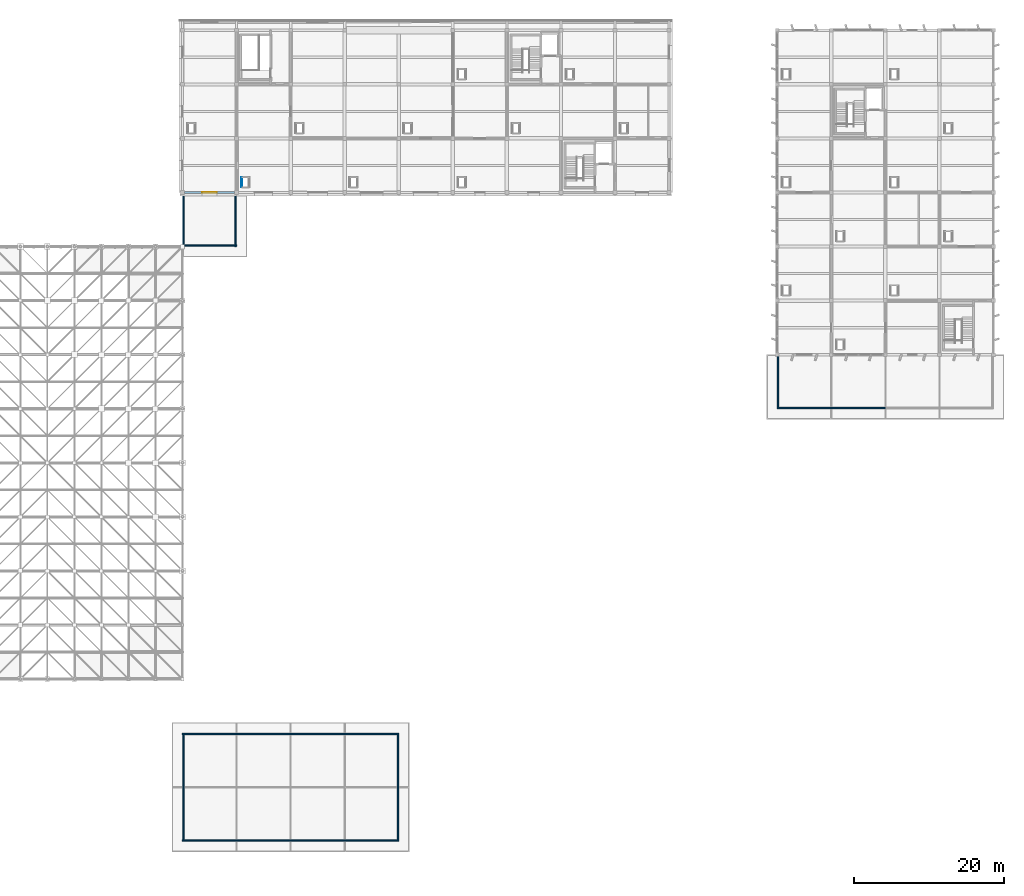
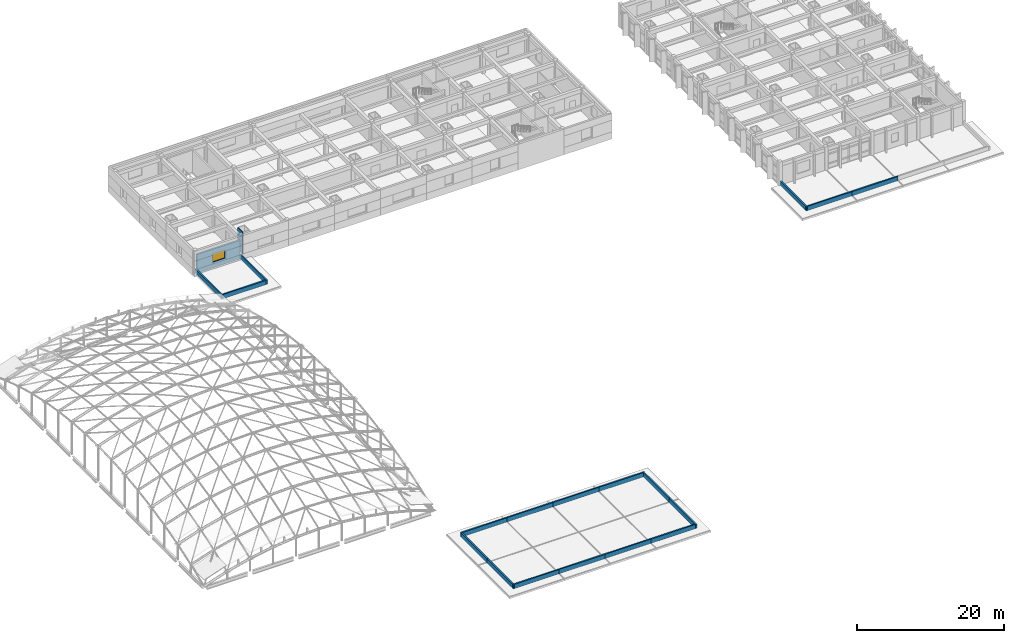
# One storey, part 31 of 40: 20 walls, 1 window, 1 opening.
"""IFC4 building model written with IfcOpenShell, lengths in metres."""

from ifc_helpers import new_model, si_unit, direction, frame, frame_2d, origin, place, context, subcontext, project, spatial, rectangle, extrude, material, layer, layer_set, type_object, element, fill, save


model = new_model("IFC4")

# Units and contexts
model_context = context("Model", 3, precision=1e-05, world=origin(), true_north=direction((0.0, 1.0)))
body_context = subcontext(model_context, "Body", "Model", "MODEL_VIEW")
ifc_project = project(units=[si_unit("LENGTHUNIT", "METRE"), si_unit("AREAUNIT", "SQUARE_METRE"), si_unit("VOLUMEUNIT", "CUBIC_METRE"), si_unit("PLANEANGLEUNIT", "RADIAN"), si_unit("MASSUNIT", "GRAM", prefix="KILO")], contexts=[model_context])

# Site, building, storey
site_placement = place(None, origin())
site = spatial("IfcSite", under=ifc_project, at=site_placement, CompositionType="ELEMENT")
building_placement = place(site_placement, origin())
building = spatial("IfcBuilding", under=site, at=building_placement, Name="Kavelor Marine Aquarium", CompositionType="ELEMENT")
storey_placement = place(building_placement, frame((0.0, 0.0, 17.639892578125)))
storey = spatial("IfcBuildingStorey", under=building, at=storey_placement, Name="L04", CompositionType="ELEMENT", Elevation=17.639892578125)

# Wall, opening, window
ifc_material_1 = material(Name="Concrete C40/50", Category="concrete")
ifc_layer_1 = layer(ifc_material_1, 0.280029296875)
ifc_layer_set_1 = layer_set([ifc_layer_1], Name="WL-EX4")
wall_type_1 = type_object("IfcWallType", Name="WL-EX4", PredefinedType="STANDARD", material=ifc_layer_set_1)
wall_1_placement = place(storey_placement, frame((46.155029296875, 89.199951171875, 0.0), z_axis=(0.0, 0.0, 1.0), x_axis=(-1.0, 0.0, 0.0)))
wall_1 = element("IfcWall", 1, at=wall_1_placement, inside=storey, type_object=wall_type_1, Name="ew:x:L04:05_12", PredefinedType="STANDARD", context=body_context, shape_type="SweptSolid", body=[
    extrude(rectangle(XDim=6.7099609375, YDim=0.280029296875, at=frame_2d((3.35498046875, 0.0))), origin(), (0.0, 0.0, 1.0), 3.080078125),
])
opening_placement = place(wall_1_placement, frame((2.3798828125, 0.0, 0.949951171875)))
opening = element("IfcOpeningElement", 2, at=opening_placement, cuts=wall_1, Name="Opening W29", PredefinedType="OPENING", context=body_context, shape_type="SweptSolid", body=[
    extrude(rectangle(XDim=1.949951171875, YDim=1.35009765625, at=frame_2d((0.97509765625, 0.675048828125))), frame((0.0, 0.14990234375, 0.0), z_axis=(0.0, -1.0, 0.0), x_axis=(1.0, 0.0, 0.0)), (0.0, 0.0, 1.0), 0.300029),
])
ifc_material_2 = material(Name="Anodised Aluminium Frame with Low-E Double Glazing", Category="aluminium")
window_type = type_object("IfcWindowType", Name="WIN-W29", PartitioningType="DOUBLE_PANEL_VERTICAL", PredefinedType="WINDOW", material=ifc_material_2)
window_placement = place(opening_placement, origin())
window = element("IfcWindow", 3, at=window_placement, inside=storey, type_object=window_type, Name="win:x:L04:05_12", OverallHeight=1.35009765625, OverallWidth=1.949951171875, PartitioningType="SINGLE_PANEL", PredefinedType="WINDOW", context=body_context, shape_type="SweptSolid", body=[
    extrude(rectangle(XDim=1.949951171875, YDim=1.35009765625, at=frame_2d((0.97509765625, 0.675048828125))), frame((0.0, 0.030029296875, 0.0), z_axis=(0.0, -1.0, 0.0), x_axis=(1.0, 0.0, 0.0)), (0.0, 0.0, 1.0), 0.06005859375),
])
fill(opening, window)

# Walls
ifc_material_3 = material(Name="Concrete C40/50", Category="concrete")
ifc_layer_2 = layer(ifc_material_3, 0.219970703125)
ifc_layer_set_2 = layer_set([ifc_layer_2], Name="WL-PR2")
wall_type_2 = type_object("IfcWallType", Name="WL-PR2", PredefinedType="PARAPET", material=ifc_layer_set_2)
for number, where, z_axis, x_axis, name in (
    (4, (39.199951171875, 2.919921875, 0.0), (0.0, 0.0, 1.0), (1.0, 0.0, 0.0), "par:s:L04:05_00"),
    (5, (39.320068359375, 2.800048828125, 0.0), (0.0, 0.0, 1.0), (0.0, 1.0, 0.0), "par:w:L04:05_00"),
    (6, (39.199951171875, 17.080078125, 0.0), (0.0, 0.0, 1.0), (1.0, 0.0, 0.0), "par:n:L04:05_01"),
    (7, (39.320068359375, 10.0, 0.0), (0.0, 0.0, 1.0), (0.0, 1.0, 0.0), "par:w:L04:05_01"),
    (8, (39.199951171875, 82.1201171875, 0.0), (0.0, 0.0, 1.0), (1.0, 0.0, 0.0), "par:s:L04:05_11"),
    (9, (39.320068359375, 82.0, 0.0), (0.0, 0.0, 1.0), (0.0, 1.0, 0.0), "par:w:L04:05_11"),
    (10, (46.280029296875, 82.0, 0.0), (0.0, 0.0, 1.0), (0.0, 1.0, 0.0), "par:e:L04:05_11"),
):
    element("IfcWall", number, at=place(storey_placement, frame(where, z_axis=z_axis, x_axis=x_axis)), inside=storey, type_object=wall_type_2, Name=name, PredefinedType="PARAPET", context=body_context, shape_type="SweptSolid", body=[
        extrude(rectangle(XDim=7.199951171875, YDim=0.219970703125, at=frame_2d((3.60009765625, 0.0))), origin(), (0.0, 0.0, 1.0), 0.72021484375),
    ])
for number, where, z_axis, x_axis, name in (
    (11, (46.39990234375, 2.919921875, 0.0), (0.0, 0.0, 1.0), (1.0, 0.0, 0.0), "par:s:L04:06_00"),
    (12, (46.39990234375, 17.080078125, 0.0), (0.0, 0.0, 1.0), (1.0, 0.0, 0.0), "par:n:L04:06_01"),
):
    element("IfcWall", number, at=place(storey_placement, frame(where, z_axis=z_axis, x_axis=x_axis)), inside=storey, type_object=wall_type_2, Name=name, PredefinedType="PARAPET", context=body_context, shape_type="SweptSolid", body=[
        extrude(rectangle(XDim=7.2001953125, YDim=0.219970703125, at=frame_2d((3.60009765625, 0.0))), origin(), (0.0, 0.0, 1.0), 0.72021484375),
    ])
for number, where, z_axis, x_axis, name in (
    (13, (53.60009765625, 2.919921875, 0.0), (0.0, 0.0, 1.0), (1.0, 0.0, 0.0), "par:s:L04:07_00"),
    (14, (53.60009765625, 17.080078125, 0.0), (0.0, 0.0, 1.0), (1.0, 0.0, 0.0), "par:n:L04:07_01"),
    (15, (60.800048828125, 2.919921875, 0.0), (0.0, 0.0, 1.0), (1.0, 0.0, 0.0), "par:s:L04:08_00"),
    (16, (67.8798828125, 2.800048828125, 0.0), (0.0, 0.0, 1.0), (0.0, 1.0, 0.0), "par:e:L04:08_00"),
    (17, (60.800048828125, 17.080078125, 0.0), (0.0, 0.0, 1.0), (1.0, 0.0, 0.0), "par:n:L04:08_01"),
    (18, (67.8798828125, 10.0, 0.0), (0.0, 0.0, 1.0), (0.0, 1.0, 0.0), "par:e:L04:08_01"),
):
    element("IfcWall", number, at=place(storey_placement, frame(where, z_axis=z_axis, x_axis=x_axis)), inside=storey, type_object=wall_type_2, Name=name, PredefinedType="PARAPET", context=body_context, shape_type="SweptSolid", body=[
        extrude(rectangle(XDim=7.199951171875, YDim=0.219970703125, at=frame_2d((3.60009765625, 0.0))), origin(), (0.0, 0.0, 1.0), 0.72021484375),
    ])
for number, where, z_axis, x_axis, name in (
    (19, (118.39990234375, 60.52001953125, 0.0), (0.0, 0.0, 1.0), (1.0, 0.0, 0.0), "par:s:L04:16_08"),
    (20, (118.52001953125, 60.39990234375, 0.0), (0.0, 0.0, 1.0), (0.0, 1.0, 0.0), "par:w:L04:16_08"),
):
    element("IfcWall", number, at=place(storey_placement, frame(where, z_axis=z_axis, x_axis=x_axis)), inside=storey, type_object=wall_type_2, Name=name, PredefinedType="PARAPET", context=body_context, shape_type="SweptSolid", body=[
        extrude(rectangle(XDim=7.2001953125, YDim=0.219970703125, at=frame_2d((3.60009765625, 0.0))), origin(), (0.0, 0.0, 1.0), 0.72021484375),
    ])
wall_2_placement = place(storey_placement, frame((125.60009765625, 60.52001953125, 0.0), z_axis=(0.0, 0.0, 1.0), x_axis=(1.0, 0.0, 0.0)))
element("IfcWall", 21, at=wall_2_placement, inside=storey, type_object=wall_type_2, Name="par:s:L04:17_08", PredefinedType="PARAPET", context=body_context, shape_type="SweptSolid", body=[
    extrude(rectangle(XDim=7.199951171875, YDim=0.219970703125, at=frame_2d((3.60009765625, 0.0))), origin(), (0.0, 0.0, 1.0), 0.72021484375),
])
ifc_material_4 = material(Name="Lightweight Drywall Partition")
ifc_layer_3 = layer(ifc_material_4, 0.1201171875)
ifc_layer_set_3 = layer_set([ifc_layer_3], Name="WL-PT4")
wall_type_3 = type_object("IfcWallType", Name="WL-PT4", PredefinedType="PARTITIONING", material=ifc_layer_set_3)
wall_3_placement = place(storey_placement, frame((47.090087890625, 89.889892578125, 0.0), z_axis=(0.0, 0.0, 1.0), x_axis=(0.0, 1.0, 0.0)))
element("IfcWall", 22, at=wall_3_placement, inside=storey, type_object=wall_type_3, Name="riser:w:L04:06_12", PredefinedType="PARTITIONING", context=body_context, shape_type="SweptSolid", body=[
    extrude(rectangle(XDim=1.320068359375, YDim=0.1201171875, at=frame_2d((0.66015625, 0.0))), origin(), (0.0, 0.0, 1.0), 3.6201171875),
])

save(model, "model.ifc")
